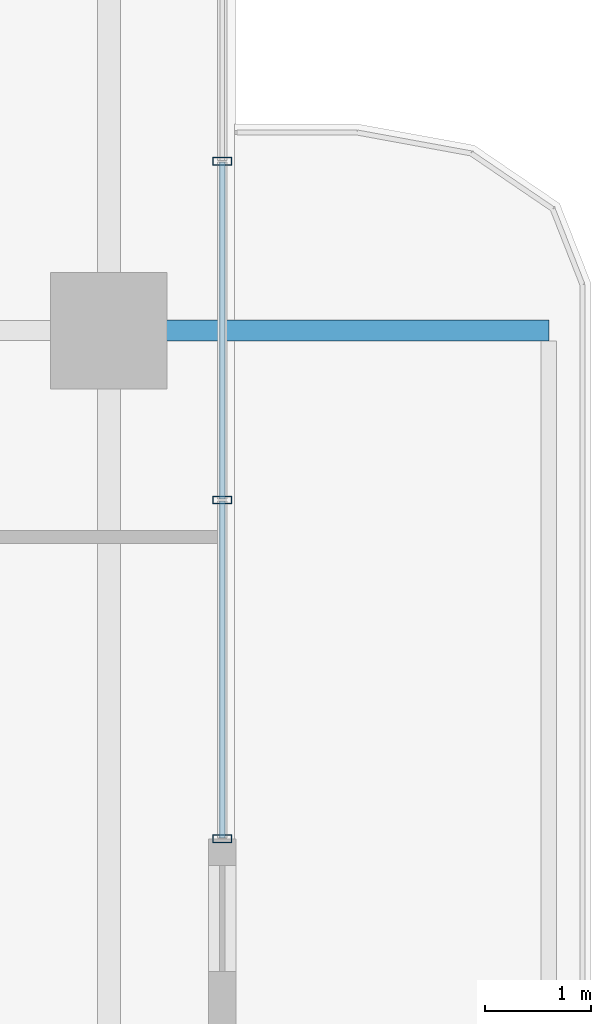
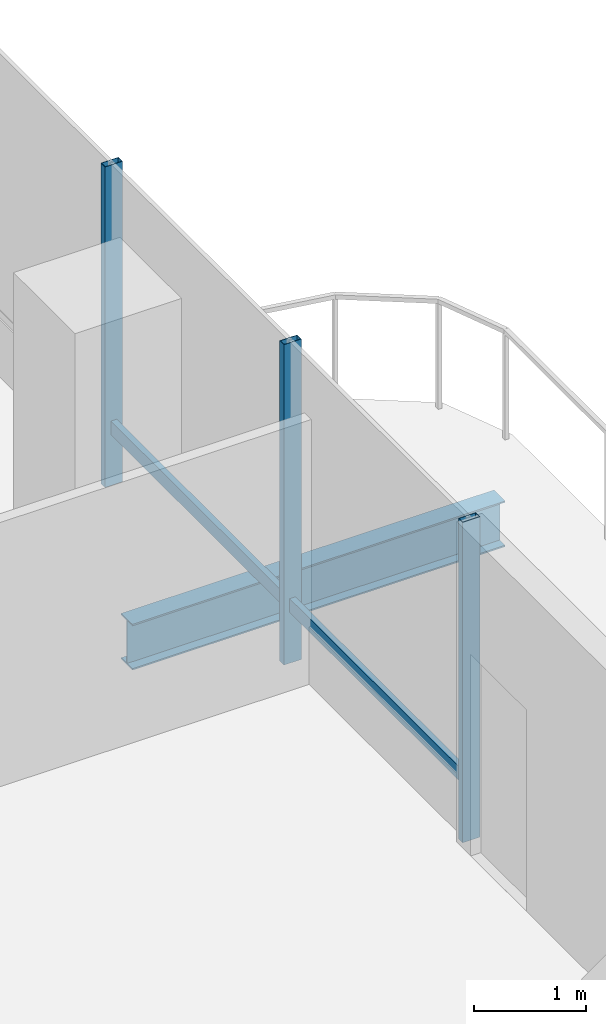
# One storey, part 8 of 24: 5 members, 1 beam, 1 element without a shape of its own.
"""IFC4 building model written with IfcOpenShell, lengths in metres."""

from ifc_helpers import new_model, si_unit, direction, frame, origin, origin_2d, place, context, subcontext, project, spatial, hollow_rectangle, i_section, extrude, material, layer, layer_set, material_profile, profile_set, type_object, element, aggregate, save


model = new_model("IFC4")

# Units and contexts
model_context = context("Model", 3, precision=1e-05, world=origin(), true_north=direction((0.0, 1.0)))
body_context = subcontext(model_context, "Body", "Model", "MODEL_VIEW")
ifc_project = project(units=[si_unit("LENGTHUNIT", "METRE"), si_unit("AREAUNIT", "SQUARE_METRE"), si_unit("VOLUMEUNIT", "CUBIC_METRE"), si_unit("PLANEANGLEUNIT", "RADIAN"), si_unit("MASSUNIT", "GRAM", prefix="KILO")], contexts=[model_context])

# Site, building, storey
site_placement = place(None, origin())
site = spatial("IfcSite", under=ifc_project, at=site_placement, CompositionType="ELEMENT")
building_placement = place(site_placement, origin())
building = spatial("IfcBuilding", under=site, at=building_placement, Name="Belovzor Exchange Tower", CompositionType="ELEMENT")
storey_placement = place(building_placement, frame((0.0, 0.0, 207.449951171875)))
storey = spatial("IfcBuildingStorey", under=building, at=storey_placement, Name="L51", CompositionType="ELEMENT", Elevation=207.449951171875)

# Beam
ifc_material_1 = material(Name="Steel S355", Category="steel")
ifc_material_profile_1 = material_profile(ifc_material_1, i_section(OverallWidth=0.199951171875, OverallDepth=0.5, WebThickness=0.01025390625, FlangeThickness=0.01611328125, at=origin_2d()))
ifc_profile_set_1 = profile_set([ifc_material_profile_1], Name="Steel S355")
beam_type = type_object("IfcBeamType", Name="Planted Balcony Cantilever Beam IPE 500", PredefinedType="BEAM", material=ifc_profile_set_1)
beam_placement = place(storey_placement, frame((54.903076171875, 28.800048828125, -0.5), z_axis=(1.0, 0.0, 0.0), x_axis=(0.0, 1.0, 0.0)))
element("IfcBeam", 1, at=beam_placement, inside=storey, type_object=beam_type, Name="BC-500 Planted Balcony Cantilever Beam IPE 500", PredefinedType="BEAM", context=body_context, shape_type="SweptSolid", body=[
    extrude(i_section(OverallWidth=0.199951171875, OverallDepth=0.5, WebThickness=0.01025390625, FlangeThickness=0.01611328125, at=origin_2d()), origin(), (0.0, 0.0, 1.0), 3.849853515625),
])

# Curtain wall, members
ifc_material_2 = material(Name="Anodised Aluminium Framing", Category="aluminium")
ifc_layer = layer(ifc_material_2, 0.179931640625)
ifc_layer_set = layer_set([ifc_layer], Name="Anodised Aluminium Framing")
curtain_wall_type = type_object("IfcCurtainWallType", Name="Recessed Loggia Low-Iron Triple-Glazed Curtain Wall", PredefinedType="NOTDEFINED", material=ifc_layer_set)
curtain_wall_placement = place(storey_placement, origin())
curtain_wall = element("IfcCurtainWall", 2, at=curtain_wall_placement, inside=storey, type_object=curtain_wall_type, Name="CW3 Recessed Loggia Low-Iron Triple-Glazed Curtain Wall L51", PredefinedType="NOTDEFINED")
ifc_material_3 = material(Name="Steel S355", Category="steel")
ifc_material_profile_2 = material_profile(ifc_material_3, hollow_rectangle(XDim=0.074951171875, YDim=0.179931640625, WallThickness=0.0048828125, at=origin_2d()))
ifc_profile_set_2 = profile_set([ifc_material_profile_2], Name="Steel S355")
member_type_1 = type_object("IfcMemberType", Name="Thermally Broken Curtain Wall Mullion 180x75", PredefinedType="MULLION", material=ifc_profile_set_2)
member_1_placement = place(storey_placement, frame((55.669921875, 30.39990234375, 0.0), z_axis=(0.0, 0.0, 1.0), x_axis=(0.0, -1.0, 0.0)))
member_1 = element("IfcMember", 3, at=member_1_placement, type_object=member_type_1, Name="CW-M180 Curtain Wall Mullion 2", PredefinedType="MULLION", context=body_context, shape_type="SweptSolid", body=[
    extrude(hollow_rectangle(XDim=0.074951171875, YDim=0.179931640625, WallThickness=0.0048828125, at=origin_2d()), origin(), (0.0, 0.0, 1.0), 3.5),
])
member_2_placement = place(storey_placement, frame((55.669921875, 27.199951171875, 0.0), z_axis=(0.0, 0.0, 1.0), x_axis=(0.0, -1.0, 0.0)))
member_2 = element("IfcMember", 4, at=member_2_placement, type_object=member_type_1, Name="CW-M180 Curtain Wall Mullion 3", PredefinedType="MULLION", context=body_context, shape_type="SweptSolid", body=[
    extrude(hollow_rectangle(XDim=0.074951171875, YDim=0.179931640625, WallThickness=0.0048828125, at=origin_2d()), origin(), (0.0, 0.0, 1.0), 3.5),
])
member_3_placement = place(storey_placement, frame((55.669921875, 24.0, 0.0), z_axis=(0.0, 0.0, 1.0), x_axis=(0.0, -1.0, 0.0)))
member_3 = element("IfcMember", 5, at=member_3_placement, type_object=member_type_1, Name="CW-M180 Curtain Wall Mullion 4", PredefinedType="MULLION", context=body_context, shape_type="SweptSolid", body=[
    extrude(hollow_rectangle(XDim=0.074951171875, YDim=0.179931640625, WallThickness=0.0048828125, at=origin_2d()), origin(), (0.0, 0.0, 1.0), 3.5),
])
ifc_material_4 = material(Name="Steel S355", Category="steel")
ifc_material_profile_3 = material_profile(ifc_material_4, hollow_rectangle(XDim=0.06005859375, YDim=0.14990234375, WallThickness=0.00390625, at=origin_2d()))
ifc_profile_set_3 = profile_set([ifc_material_profile_3], Name="Steel S355")
member_type_2 = type_object("IfcMemberType", Name="Thermally Broken Curtain Wall Transom 150x60", PredefinedType="USERDEFINED", material=ifc_profile_set_3)
member_4_placement = place(storey_placement, frame((55.669921875, 30.39208984375, 0.630126953125), z_axis=(0.0, -1.0, 0.0), x_axis=(1.0, 0.0, 0.0)))
member_4 = element("IfcMember", 6, at=member_4_placement, type_object=member_type_2, Name="CW-T150 Curtain Wall Transom 2", ObjectType="TRANSOM", PredefinedType="USERDEFINED", context=body_context, shape_type="SweptSolid", body=[
    extrude(hollow_rectangle(XDim=0.06005859375, YDim=0.14990234375, WallThickness=0.00390625, at=origin_2d()), origin(), (0.0, 0.0, 1.0), 3.18408203125),
])
member_5_placement = place(storey_placement, frame((55.669921875, 27.19189453125, 0.630126953125), z_axis=(0.0, -1.0, 0.0), x_axis=(1.0, 0.0, 0.0)))
member_5 = element("IfcMember", 7, at=member_5_placement, type_object=member_type_2, Name="CW-T150 Curtain Wall Transom 3", ObjectType="TRANSOM", PredefinedType="USERDEFINED", context=body_context, shape_type="SweptSolid", body=[
    extrude(hollow_rectangle(XDim=0.06005859375, YDim=0.14990234375, WallThickness=0.00390625, at=origin_2d()), origin(), (0.0, 0.0, 1.0), 3.183837890625),
])
aggregate(curtain_wall, [member_1, member_2, member_3, member_4, member_5])

save(model, "model.ifc")
